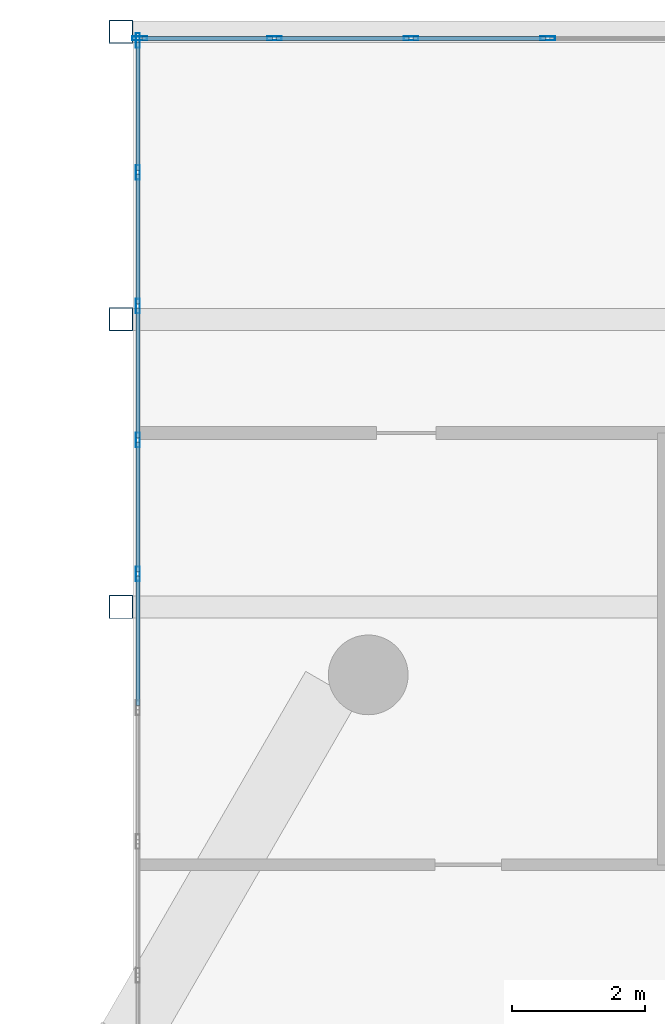
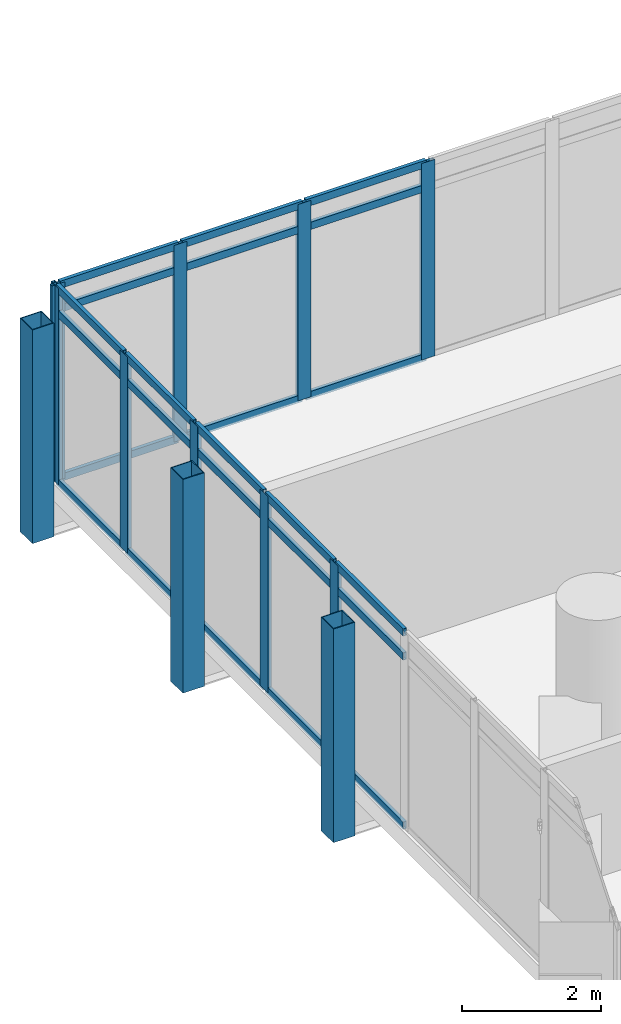
# One storey, part 16 of 36: 36 members, 2 elements without a shape of their own.
"""IFC4 building model written with IfcOpenShell, lengths in metres."""

import ifcopenshell
import ifcopenshell.guid

model = None  # the IFC model being written
_history = None  # IfcOwnerHistory: only IFC2X3 demands one
_inside = {}  # id of a spatial element -> (the spatial element, [elements in it])
_under = {}  # id of a project, library or spatial element -> (it, [spatial elements below it])
_declared = {}  # id of a project -> (the project, [libraries it declares])
_typed = {}  # id of a type object -> (the type object, [elements of that type])
_made_of = {}  # id of a material, layer set ... -> (it, [elements and type objects made of it])


def new_model(schema):
    """Start an empty IFC model of exactly this schema.

    Asked for "IFC4X3", IfcOpenShell would pick the latest addendum, in which some entities
    have other attributes; the version numbers below select the first issue.
    IFC2X3 requires an IfcOwnerHistory on every rooted entity: one is made here for all.
    """
    global model, _history
    if schema == "IFC4X3":
        model = ifcopenshell.file(schema_version=(4, 3, 0, 0))
    else:
        model = ifcopenshell.file(schema=schema)
    _inside.clear()
    _under.clear()
    _declared.clear()
    _typed.clear()
    _made_of.clear()
    _history = None
    if model.schema == "IFC2X3":
        org = make("IfcOrganization", Name="unknown")
        user = make(
            "IfcPersonAndOrganization",
            ThePerson=make("IfcPerson", FamilyName="unknown"),
            TheOrganization=org,
        )
        app = make(
            "IfcApplication",
            ApplicationDeveloper=org,
            Version="unknown",
            ApplicationFullName="unknown",
            ApplicationIdentifier="unknown",
        )
        _history = make(
            "IfcOwnerHistory",
            OwningUser=user,
            OwningApplication=app,
            ChangeAction="ADDED",
            CreationDate=0,
        )
    return model


def make(cls, **values):
    """One entity of the class cls with the attributes given. An attribute that is None is left unset."""
    return model.create_entity(
        cls, **{name: value for name, value in values.items() if value is not None}
    )


def rooted(cls, **values):
    """An entity with a GlobalId (a new one), such as an element, a storey or a relation."""
    return make(cls, GlobalId=ifcopenshell.guid.new(), OwnerHistory=_history, **values)


def si_unit(unit_type, name, prefix=None):
    """IfcSIUnit, for example si_unit("LENGTHUNIT", "METRE", prefix="MILLI")."""
    return make("IfcSIUnit", UnitType=unit_type, Prefix=prefix, Name=name)


def assignment(units):
    """IfcUnitAssignment: the units of a project."""
    return None if units is None else make("IfcUnitAssignment", Units=units)


def point(xyz):
    """IfcCartesianPoint."""
    return None if xyz is None else make("IfcCartesianPoint", Coordinates=xyz)


def direction(xyz):
    """IfcDirection."""
    return None if xyz is None else make("IfcDirection", DirectionRatios=xyz)


def frame(location, z_axis=None, x_axis=None):
    """IfcAxis2Placement3D, a coordinate frame: its origin and axes. An axis left out is left unset."""
    return make(
        "IfcAxis2Placement3D",
        Location=point(location),
        Axis=direction(z_axis),
        RefDirection=direction(x_axis),
    )


def frame_2d(location, x_axis=None):
    """IfcAxis2Placement2D, a coordinate frame in the plane: its origin and x axis."""
    return make(
        "IfcAxis2Placement2D", Location=point(location), RefDirection=direction(x_axis)
    )


def origin():
    """The frame at (0, 0, 0) with its axes left unset."""
    return frame((0.0, 0.0, 0.0))


def origin_2d():
    """The frame at (0, 0) in the plane with its x axis left unset."""
    return frame_2d((0.0, 0.0))


def place(relative_to, where):
    """IfcLocalPlacement: puts the frame where relative to a parent placement (None: the world)."""
    return make(
        "IfcLocalPlacement", PlacementRelTo=relative_to, RelativePlacement=where
    )


def context(
    kind, dimensions, precision=None, world=None, true_north=None, identifier=None
):
    """IfcGeometricRepresentationContext, for example the 3D "Model" context."""
    return make(
        "IfcGeometricRepresentationContext",
        ContextIdentifier=identifier,
        ContextType=kind,
        CoordinateSpaceDimension=dimensions,
        Precision=precision,
        WorldCoordinateSystem=world,
        TrueNorth=true_north,
    )


def subcontext(parent, identifier, kind, view, scale=None):
    """IfcGeometricRepresentationSubContext, for example "Body" below "Model"."""
    return make(
        "IfcGeometricRepresentationSubContext",
        ContextIdentifier=identifier,
        ContextType=kind,
        ParentContext=parent,
        TargetScale=scale,
        TargetView=view,
    )


def project(units=None, contexts=None):
    """IfcProject with its units and contexts."""
    return rooted(
        "IfcProject",
        Name="project",
        RepresentationContexts=contexts,
        UnitsInContext=assignment(units),
    )


def spatial(cls, under=None, at=None, **own):
    """A site, building, storey or space (cls), placed at a placement, below another one or the project."""
    s = rooted(cls, ObjectPlacement=at, **own)
    if under is not None:
        _under.setdefault(under.id(), (under, []))[1].append(s)
    return s


def profile(cls, at=None, kind="AREA", **sizes):
    """A parametric profile (cls). Its sizes go by their IFC names, for example OverallWidth=200.0."""
    return make(cls, ProfileType=kind, Position=at, **sizes)


def hollow_rectangle(**sizes):
    """IfcRectangleHollowProfileDef."""
    return profile("IfcRectangleHollowProfileDef", **sizes)


def extrude(swept, where, along, depth):
    """IfcExtrudedAreaSolid: the profile swept, set in the frame where, extruded along a direction by depth."""
    return make(
        "IfcExtrudedAreaSolid",
        SweptArea=swept,
        Position=where,
        ExtrudedDirection=direction(along),
        Depth=depth,
    )


def shape(context_of_items, identifier, shape_type, items):
    """IfcShapeRepresentation: the items that make up one representation, for example the "Body"."""
    return make(
        "IfcShapeRepresentation",
        ContextOfItems=context_of_items,
        RepresentationIdentifier=identifier,
        RepresentationType=shape_type,
        Items=items,
    )


def material(Name=None, Category=None):
    """IfcMaterial."""
    return make("IfcMaterial", Name=Name, Category=Category)


def material_profile(
    of_material, cross_section, Name=None, Category=None, Priority=None
):
    """IfcMaterialProfile: a cross section and its material."""
    return make(
        "IfcMaterialProfile",
        Name=Name,
        Material=of_material,
        Profile=cross_section,
        Priority=Priority,
        Category=Category,
    )


def profile_set(profiles, Name=None, composite=None):
    """IfcMaterialProfileSet."""
    return make(
        "IfcMaterialProfileSet",
        Name=Name,
        MaterialProfiles=profiles,
        CompositeProfile=composite,
    )


def made_of(thing, what):
    """Note that an element or type object is made of a material, layer set ...; save() writes the relation."""
    if what is not None:
        _made_of.setdefault(what.id(), (what, []))[1].append(thing)
    return thing


def type_object(cls, material=None, **own):
    """A type object (cls), such as IfcWallType, which elements share."""
    return made_of(rooted(cls, **own), material)


def element(
    cls,
    number,
    at=None,
    inside=None,
    cuts=None,
    type_object=None,
    material=None,
    context=None,
    identifier="Body",
    shape_type=None,
    held_by="IfcProductDefinitionShape",
    body=None,
    shapes=None,
    **own,
):
    """One element of the class cls, such as IfcWall. Its Tag is "e" and its number.

    at: its placement. inside: the storey or other place that contains it. cuts: it is an
    opening in that element (IfcRelVoidsElement). A single representation is given by context,
    identifier, shape_type and body (its items); several are given by shapes. held_by: the class
    of the entity that holds the representations. save() writes the other relations.
    """
    e = rooted(cls, Tag="e%d" % number, ObjectPlacement=at, **own)
    if body is not None:
        shapes = [shape(context, identifier, shape_type, body)]
    if shapes is not None:
        e.Representation = make(held_by, Representations=shapes)
    if inside is not None:
        _inside.setdefault(inside.id(), (inside, []))[1].append(e)
    if cuts is not None:
        rooted(
            "IfcRelVoidsElement", RelatingBuildingElement=cuts, RelatedOpeningElement=e
        )
    if type_object is not None:
        _typed.setdefault(type_object.id(), (type_object, []))[1].append(e)
    return made_of(e, material)


def aggregate(whole, parts):
    """IfcRelAggregates: a whole, such as a stair, and the parts it consists of."""
    return rooted("IfcRelAggregates", RelatingObject=whole, RelatedObjects=parts)


def save(model, path):
    """Write the relations noted so far, then the file.

    IfcRelAggregates (storeys below a building ...), IfcRelContainedInSpatialStructure (elements
    in a storey), IfcRelDefinesByType, IfcRelAssociatesMaterial and IfcRelDeclares: one each for
    every whole, place, type object, material and project.
    """
    for whole, parts in _under.values():
        aggregate(whole, parts)
    for where, things in _inside.values():
        rooted(
            "IfcRelContainedInSpatialStructure",
            RelatedElements=things,
            RelatingStructure=where,
        )
    for kind, things in _typed.values():
        rooted("IfcRelDefinesByType", RelatedObjects=things, RelatingType=kind)
    for what, things in _made_of.values():
        rooted("IfcRelAssociatesMaterial", RelatedObjects=things, RelatingMaterial=what)
    for by, libraries in _declared.values():
        rooted("IfcRelDeclares", RelatingContext=by, RelatedDefinitions=libraries)
    model.write(path)


model = new_model("IFC4")

# Units and contexts
model_context = context("Model", 3, precision=1e-05, world=origin(), true_north=direction((0.0, 1.0)))
body_context = subcontext(model_context, "Body", "Model", "MODEL_VIEW")
ifc_project = project(units=[si_unit("LENGTHUNIT", "METRE"), si_unit("AREAUNIT", "SQUARE_METRE"), si_unit("VOLUMEUNIT", "CUBIC_METRE"), si_unit("PLANEANGLEUNIT", "RADIAN"), si_unit("MASSUNIT", "GRAM", prefix="KILO")], contexts=[model_context])

# Site, building, storey
site_placement = place(None, origin())
site = spatial("IfcSite", under=ifc_project, at=site_placement, CompositionType="ELEMENT")
building_placement = place(site_placement, origin())
building = spatial("IfcBuilding", under=site, at=building_placement, Name="Ostrander Bayou Hotel Tower", CompositionType="ELEMENT")
storey_placement = place(building_placement, frame((0.0, 0.0, 138.5)))
storey = spatial("IfcBuildingStorey", under=building, at=storey_placement, Name="L34", CompositionType="ELEMENT", Elevation=138.5)

# Curtain wall, members
ifc_material_1 = material(Name="Aluminium and clear glass", Category="aluminium")
curtain_wall_type = type_object("IfcCurtainWallType", Name="CW-BAR glazed wall", PredefinedType="NOTDEFINED", material=ifc_material_1)
curtain_wall_1_placement = place(storey_placement, origin())
curtain_wall_1 = element("IfcCurtainWall", 1, at=curtain_wall_1_placement, inside=storey, type_object=curtain_wall_type, Name="CW-BAR L34:SB3N:E", PredefinedType="NOTDEFINED")
ifc_material_2 = material(Name="Aluminium", Category="aluminium")
ifc_material_profile_1 = material_profile(ifc_material_2, hollow_rectangle(XDim=0.06005859375, YDim=0.219970703125, WallThickness=0.00390625, at=origin_2d()))
ifc_profile_set_1 = profile_set([ifc_material_profile_1], Name="Aluminium")
member_type_1 = type_object("IfcMemberType", Name="CW-BR mullion 60 x 220 mm", PredefinedType="MULLION", material=ifc_profile_set_1)
member_1_placement = place(storey_placement, frame((-13.3671875, 20.979248046875, 0.0), z_axis=(0.0, 0.0, 1.0), x_axis=(-1.0, 0.0, 0.0)))
member_1 = element("IfcMember", 2, at=member_1_placement, type_object=member_type_1, Name="CW-BAR mullion 5", PredefinedType="MULLION", context=body_context, shape_type="SweptSolid", body=[
    extrude(hollow_rectangle(XDim=0.06005859375, YDim=0.219970703125, WallThickness=0.00390625, at=origin_2d()), origin(), (0.0, 0.0, 1.0), 3.449951171875),
])
member_2_placement = place(storey_placement, frame((-13.3671875, 22.99365234375, 0.0), z_axis=(0.0, 0.0, 1.0), x_axis=(-1.0, 0.0, 0.0)))
member_2 = element("IfcMember", 3, at=member_2_placement, type_object=member_type_1, Name="CW-BAR mullion 6", PredefinedType="MULLION", context=body_context, shape_type="SweptSolid", body=[
    extrude(hollow_rectangle(XDim=0.06005859375, YDim=0.219970703125, WallThickness=0.00390625, at=origin_2d()), origin(), (0.0, 0.0, 1.0), 3.449951171875),
])
member_3_placement = place(storey_placement, frame((-13.3671875, 25.00830078125, 0.0), z_axis=(0.0, 0.0, 1.0), x_axis=(-1.0, 0.0, 0.0)))
member_3 = element("IfcMember", 4, at=member_3_placement, type_object=member_type_1, Name="CW-BAR mullion 7", PredefinedType="MULLION", context=body_context, shape_type="SweptSolid", body=[
    extrude(hollow_rectangle(XDim=0.06005859375, YDim=0.219970703125, WallThickness=0.00390625, at=origin_2d()), origin(), (0.0, 0.0, 1.0), 3.449951171875),
])
member_4_placement = place(storey_placement, frame((-13.3671875, 27.022705078125, 0.0), z_axis=(0.0, 0.0, 1.0), x_axis=(-1.0, 0.0, 0.0)))
member_4 = element("IfcMember", 5, at=member_4_placement, type_object=member_type_1, Name="CW-BAR mullion 8", PredefinedType="MULLION", context=body_context, shape_type="SweptSolid", body=[
    extrude(hollow_rectangle(XDim=0.06005859375, YDim=0.219970703125, WallThickness=0.00390625, at=origin_2d()), origin(), (0.0, 0.0, 1.0), 3.449951171875),
])
member_5_placement = place(storey_placement, frame((-13.3671875, 29.007080078125, 0.0), z_axis=(0.0, 0.0, 1.0), x_axis=(-1.0, 0.0, 0.0)))
member_5 = element("IfcMember", 6, at=member_5_placement, type_object=member_type_1, Name="CW-BAR mullion 9", PredefinedType="MULLION", context=body_context, shape_type="SweptSolid", body=[
    extrude(hollow_rectangle(XDim=0.06005859375, YDim=0.219970703125, WallThickness=0.00390625, at=origin_2d()), origin(), (0.0, 0.0, 1.0), 3.449951171875),
])

curtain_wall_2_placement = place(storey_placement, origin())
curtain_wall_2 = element("IfcCurtainWall", 7, at=curtain_wall_2_placement, inside=storey, type_object=curtain_wall_type, Name="CW-BAR L34:SB3N:T", PredefinedType="NOTDEFINED")
member_6_placement = place(storey_placement, frame((-13.337158203125, 29.037109375, 0.0), z_axis=(0.0, 0.0, 1.0), x_axis=(0.0, 1.0, 0.0)))
member_6 = element("IfcMember", 8, at=member_6_placement, type_object=member_type_1, Name="CW-BAR mullion 1", PredefinedType="MULLION", context=body_context, shape_type="SweptSolid", body=[
    extrude(hollow_rectangle(XDim=0.06005859375, YDim=0.219970703125, WallThickness=0.00390625, at=origin_2d()), origin(), (0.0, 0.0, 1.0), 3.449951171875),
])
member_7_placement = place(storey_placement, frame((-11.310791015625, 29.037109375, 0.0), z_axis=(0.0, 0.0, 1.0), x_axis=(0.0, 1.0, 0.0)))
member_7 = element("IfcMember", 9, at=member_7_placement, type_object=member_type_1, Name="CW-BAR mullion 2", PredefinedType="MULLION", context=body_context, shape_type="SweptSolid", body=[
    extrude(hollow_rectangle(XDim=0.06005859375, YDim=0.219970703125, WallThickness=0.00390625, at=origin_2d()), origin(), (0.0, 0.0, 1.0), 3.449951171875),
])
member_8_placement = place(storey_placement, frame((-9.254150390625, 29.037109375, 0.0), z_axis=(0.0, 0.0, 1.0), x_axis=(0.0, 1.0, 0.0)))
member_8 = element("IfcMember", 10, at=member_8_placement, type_object=member_type_1, Name="CW-BAR mullion 3", PredefinedType="MULLION", context=body_context, shape_type="SweptSolid", body=[
    extrude(hollow_rectangle(XDim=0.06005859375, YDim=0.219970703125, WallThickness=0.00390625, at=origin_2d()), origin(), (0.0, 0.0, 1.0), 3.449951171875),
])
member_9_placement = place(storey_placement, frame((-7.19775390625, 29.037109375, 0.0), z_axis=(0.0, 0.0, 1.0), x_axis=(0.0, 1.0, 0.0)))
member_9 = element("IfcMember", 11, at=member_9_placement, type_object=member_type_1, Name="CW-BAR mullion 4", PredefinedType="MULLION", context=body_context, shape_type="SweptSolid", body=[
    extrude(hollow_rectangle(XDim=0.06005859375, YDim=0.219970703125, WallThickness=0.00390625, at=origin_2d()), origin(), (0.0, 0.0, 1.0), 3.449951171875),
])

# Member
ifc_material_3 = material(Name="Aluminium", Category="aluminium")
ifc_material_profile_2 = material_profile(ifc_material_3, hollow_rectangle(XDim=0.06005859375, YDim=0.1298828125, WallThickness=0.00390625, at=origin_2d()))
ifc_profile_set_2 = profile_set([ifc_material_profile_2], Name="Aluminium")
member_type_2 = type_object("IfcMemberType", Name="CW-BR transom 60 x 130 mm", PredefinedType="USERDEFINED", material=ifc_profile_set_2)
member_10_placement = place(storey_placement, frame((-13.3671875, 18.994873046875, 0.030029296875), z_axis=(0.0, 1.0, 0.0), x_axis=(-1.0, 0.0, 0.0)))
member_10 = element("IfcMember", 12, at=member_10_placement, type_object=member_type_2, Name="CW-BAR transom 4.1", ObjectType="TRANSOM", PredefinedType="USERDEFINED", context=body_context, shape_type="SweptSolid", body=[
    extrude(hollow_rectangle(XDim=0.06005859375, YDim=0.1298828125, WallThickness=0.00390625, at=origin_2d()), origin(), (0.0, 0.0, 1.0), 1.954345703125),
])

member_11_placement = place(storey_placement, frame((-13.3671875, 18.994873046875, 3.0), z_axis=(0.0, 1.0, 0.0), x_axis=(-1.0, 0.0, 0.0)))
member_11 = element("IfcMember", 13, at=member_11_placement, type_object=member_type_2, Name="CW-BAR transom 4.2", ObjectType="TRANSOM", PredefinedType="USERDEFINED", context=body_context, shape_type="SweptSolid", body=[
    extrude(hollow_rectangle(XDim=0.06005859375, YDim=0.1298828125, WallThickness=0.00390625, at=origin_2d()), origin(), (0.0, 0.0, 1.0), 1.954345703125),
])

member_12_placement = place(storey_placement, frame((-13.3671875, 18.994873046875, 3.419921875), z_axis=(0.0, 1.0, 0.0), x_axis=(-1.0, 0.0, 0.0)))
member_12 = element("IfcMember", 14, at=member_12_placement, type_object=member_type_2, Name="CW-BAR transom 4.3", ObjectType="TRANSOM", PredefinedType="USERDEFINED", context=body_context, shape_type="SweptSolid", body=[
    extrude(hollow_rectangle(XDim=0.06005859375, YDim=0.1298828125, WallThickness=0.00390625, at=origin_2d()), origin(), (0.0, 0.0, 1.0), 1.954345703125),
])

member_13_placement = place(storey_placement, frame((-13.3671875, 21.00927734375, 0.030029296875), z_axis=(0.0, 1.0, 0.0), x_axis=(-1.0, 0.0, 0.0)))
member_13 = element("IfcMember", 15, at=member_13_placement, type_object=member_type_2, Name="CW-BAR transom 5.1", ObjectType="TRANSOM", PredefinedType="USERDEFINED", context=body_context, shape_type="SweptSolid", body=[
    extrude(hollow_rectangle(XDim=0.06005859375, YDim=0.1298828125, WallThickness=0.00390625, at=origin_2d()), origin(), (0.0, 0.0, 1.0), 1.95458984375),
])

member_14_placement = place(storey_placement, frame((-13.3671875, 21.00927734375, 3.0), z_axis=(0.0, 1.0, 0.0), x_axis=(-1.0, 0.0, 0.0)))
member_14 = element("IfcMember", 16, at=member_14_placement, type_object=member_type_2, Name="CW-BAR transom 5.2", ObjectType="TRANSOM", PredefinedType="USERDEFINED", context=body_context, shape_type="SweptSolid", body=[
    extrude(hollow_rectangle(XDim=0.06005859375, YDim=0.1298828125, WallThickness=0.00390625, at=origin_2d()), origin(), (0.0, 0.0, 1.0), 1.95458984375),
])

member_15_placement = place(storey_placement, frame((-13.3671875, 21.00927734375, 3.419921875), z_axis=(0.0, 1.0, 0.0), x_axis=(-1.0, 0.0, 0.0)))
member_15 = element("IfcMember", 17, at=member_15_placement, type_object=member_type_2, Name="CW-BAR transom 5.3", ObjectType="TRANSOM", PredefinedType="USERDEFINED", context=body_context, shape_type="SweptSolid", body=[
    extrude(hollow_rectangle(XDim=0.06005859375, YDim=0.1298828125, WallThickness=0.00390625, at=origin_2d()), origin(), (0.0, 0.0, 1.0), 1.95458984375),
])

member_16_placement = place(storey_placement, frame((-13.3671875, 23.023681640625, 0.030029296875), z_axis=(0.0, 1.0, 0.0), x_axis=(-1.0, 0.0, 0.0)))
member_16 = element("IfcMember", 18, at=member_16_placement, type_object=member_type_2, Name="CW-BAR transom 6.1", ObjectType="TRANSOM", PredefinedType="USERDEFINED", context=body_context, shape_type="SweptSolid", body=[
    extrude(hollow_rectangle(XDim=0.06005859375, YDim=0.1298828125, WallThickness=0.00390625, at=origin_2d()), origin(), (0.0, 0.0, 1.0), 1.95458984375),
])

member_17_placement = place(storey_placement, frame((-13.3671875, 23.023681640625, 3.0), z_axis=(0.0, 1.0, 0.0), x_axis=(-1.0, 0.0, 0.0)))
member_17 = element("IfcMember", 19, at=member_17_placement, type_object=member_type_2, Name="CW-BAR transom 6.2", ObjectType="TRANSOM", PredefinedType="USERDEFINED", context=body_context, shape_type="SweptSolid", body=[
    extrude(hollow_rectangle(XDim=0.06005859375, YDim=0.1298828125, WallThickness=0.00390625, at=origin_2d()), origin(), (0.0, 0.0, 1.0), 1.95458984375),
])

member_18_placement = place(storey_placement, frame((-13.3671875, 23.023681640625, 3.419921875), z_axis=(0.0, 1.0, 0.0), x_axis=(-1.0, 0.0, 0.0)))
member_18 = element("IfcMember", 20, at=member_18_placement, type_object=member_type_2, Name="CW-BAR transom 6.3", ObjectType="TRANSOM", PredefinedType="USERDEFINED", context=body_context, shape_type="SweptSolid", body=[
    extrude(hollow_rectangle(XDim=0.06005859375, YDim=0.1298828125, WallThickness=0.00390625, at=origin_2d()), origin(), (0.0, 0.0, 1.0), 1.95458984375),
])

member_19_placement = place(storey_placement, frame((-13.3671875, 25.0380859375, 0.030029296875), z_axis=(0.0, 1.0, 0.0), x_axis=(-1.0, 0.0, 0.0)))
member_19 = element("IfcMember", 21, at=member_19_placement, type_object=member_type_2, Name="CW-BAR transom 7.1", ObjectType="TRANSOM", PredefinedType="USERDEFINED", context=body_context, shape_type="SweptSolid", body=[
    extrude(hollow_rectangle(XDim=0.06005859375, YDim=0.1298828125, WallThickness=0.00390625, at=origin_2d()), origin(), (0.0, 0.0, 1.0), 1.95458984375),
])

member_20_placement = place(storey_placement, frame((-13.3671875, 25.0380859375, 3.0), z_axis=(0.0, 1.0, 0.0), x_axis=(-1.0, 0.0, 0.0)))
member_20 = element("IfcMember", 22, at=member_20_placement, type_object=member_type_2, Name="CW-BAR transom 7.2", ObjectType="TRANSOM", PredefinedType="USERDEFINED", context=body_context, shape_type="SweptSolid", body=[
    extrude(hollow_rectangle(XDim=0.06005859375, YDim=0.1298828125, WallThickness=0.00390625, at=origin_2d()), origin(), (0.0, 0.0, 1.0), 1.95458984375),
])

member_21_placement = place(storey_placement, frame((-13.3671875, 25.0380859375, 3.419921875), z_axis=(0.0, 1.0, 0.0), x_axis=(-1.0, 0.0, 0.0)))
member_21 = element("IfcMember", 23, at=member_21_placement, type_object=member_type_2, Name="CW-BAR transom 7.3", ObjectType="TRANSOM", PredefinedType="USERDEFINED", context=body_context, shape_type="SweptSolid", body=[
    extrude(hollow_rectangle(XDim=0.06005859375, YDim=0.1298828125, WallThickness=0.00390625, at=origin_2d()), origin(), (0.0, 0.0, 1.0), 1.95458984375),
])

member_22_placement = place(storey_placement, frame((-13.3671875, 27.052734375, 0.030029296875), z_axis=(0.0, 1.0, 0.0), x_axis=(-1.0, 0.0, 0.0)))
member_22 = element("IfcMember", 24, at=member_22_placement, type_object=member_type_2, Name="CW-BAR transom 8.1", ObjectType="TRANSOM", PredefinedType="USERDEFINED", context=body_context, shape_type="SweptSolid", body=[
    extrude(hollow_rectangle(XDim=0.06005859375, YDim=0.1298828125, WallThickness=0.00390625, at=origin_2d()), origin(), (0.0, 0.0, 1.0), 1.92431640625),
])

member_23_placement = place(storey_placement, frame((-13.3671875, 27.052734375, 3.0), z_axis=(0.0, 1.0, 0.0), x_axis=(-1.0, 0.0, 0.0)))
member_23 = element("IfcMember", 25, at=member_23_placement, type_object=member_type_2, Name="CW-BAR transom 8.2", ObjectType="TRANSOM", PredefinedType="USERDEFINED", context=body_context, shape_type="SweptSolid", body=[
    extrude(hollow_rectangle(XDim=0.06005859375, YDim=0.1298828125, WallThickness=0.00390625, at=origin_2d()), origin(), (0.0, 0.0, 1.0), 1.92431640625),
])

member_24_placement = place(storey_placement, frame((-13.3671875, 27.052734375, 3.419921875), z_axis=(0.0, 1.0, 0.0), x_axis=(-1.0, 0.0, 0.0)))
member_24 = element("IfcMember", 26, at=member_24_placement, type_object=member_type_2, Name="CW-BAR transom 8.3", ObjectType="TRANSOM", PredefinedType="USERDEFINED", context=body_context, shape_type="SweptSolid", body=[
    extrude(hollow_rectangle(XDim=0.06005859375, YDim=0.1298828125, WallThickness=0.00390625, at=origin_2d()), origin(), (0.0, 0.0, 1.0), 1.92431640625),
])

aggregate(curtain_wall_1, [member_1, member_2, member_3, member_4, member_5, member_10, member_11, member_12, member_13, member_14, member_15, member_16, member_17, member_18, member_19, member_20, member_21, member_22, member_23, member_24])

member_25_placement = place(storey_placement, frame((-13.30712890625, 29.037109375, 0.030029296875), z_axis=(1.0, 0.0, 0.0), x_axis=(0.0, 1.0, 0.0)))
member_25 = element("IfcMember", 27, at=member_25_placement, type_object=member_type_2, Name="CW-BAR transom 1.1", ObjectType="TRANSOM", PredefinedType="USERDEFINED", context=body_context, shape_type="SweptSolid", body=[
    extrude(hollow_rectangle(XDim=0.06005859375, YDim=0.1298828125, WallThickness=0.00390625, at=origin_2d()), origin(), (0.0, 0.0, 1.0), 1.96630859375),
])

member_26_placement = place(storey_placement, frame((-13.30712890625, 29.037109375, 3.0), z_axis=(1.0, 0.0, 0.0), x_axis=(0.0, 1.0, 0.0)))
member_26 = element("IfcMember", 28, at=member_26_placement, type_object=member_type_2, Name="CW-BAR transom 1.2", ObjectType="TRANSOM", PredefinedType="USERDEFINED", context=body_context, shape_type="SweptSolid", body=[
    extrude(hollow_rectangle(XDim=0.06005859375, YDim=0.1298828125, WallThickness=0.00390625, at=origin_2d()), origin(), (0.0, 0.0, 1.0), 1.96630859375),
])

member_27_placement = place(storey_placement, frame((-13.30712890625, 29.037109375, 3.419921875), z_axis=(1.0, 0.0, 0.0), x_axis=(0.0, 1.0, 0.0)))
member_27 = element("IfcMember", 29, at=member_27_placement, type_object=member_type_2, Name="CW-BAR transom 1.3", ObjectType="TRANSOM", PredefinedType="USERDEFINED", context=body_context, shape_type="SweptSolid", body=[
    extrude(hollow_rectangle(XDim=0.06005859375, YDim=0.1298828125, WallThickness=0.00390625, at=origin_2d()), origin(), (0.0, 0.0, 1.0), 1.96630859375),
])

member_28_placement = place(storey_placement, frame((-11.28076171875, 29.037109375, 0.030029296875), z_axis=(1.0, 0.0, 0.0), x_axis=(0.0, 1.0, 0.0)))
member_28 = element("IfcMember", 30, at=member_28_placement, type_object=member_type_2, Name="CW-BAR transom 2.1", ObjectType="TRANSOM", PredefinedType="USERDEFINED", context=body_context, shape_type="SweptSolid", body=[
    extrude(hollow_rectangle(XDim=0.06005859375, YDim=0.1298828125, WallThickness=0.00390625, at=origin_2d()), origin(), (0.0, 0.0, 1.0), 1.99658203125),
])

member_29_placement = place(storey_placement, frame((-11.28076171875, 29.037109375, 3.0), z_axis=(1.0, 0.0, 0.0), x_axis=(0.0, 1.0, 0.0)))
member_29 = element("IfcMember", 31, at=member_29_placement, type_object=member_type_2, Name="CW-BAR transom 2.2", ObjectType="TRANSOM", PredefinedType="USERDEFINED", context=body_context, shape_type="SweptSolid", body=[
    extrude(hollow_rectangle(XDim=0.06005859375, YDim=0.1298828125, WallThickness=0.00390625, at=origin_2d()), origin(), (0.0, 0.0, 1.0), 1.99658203125),
])

member_30_placement = place(storey_placement, frame((-11.28076171875, 29.037109375, 3.419921875), z_axis=(1.0, 0.0, 0.0), x_axis=(0.0, 1.0, 0.0)))
member_30 = element("IfcMember", 32, at=member_30_placement, type_object=member_type_2, Name="CW-BAR transom 2.3", ObjectType="TRANSOM", PredefinedType="USERDEFINED", context=body_context, shape_type="SweptSolid", body=[
    extrude(hollow_rectangle(XDim=0.06005859375, YDim=0.1298828125, WallThickness=0.00390625, at=origin_2d()), origin(), (0.0, 0.0, 1.0), 1.99658203125),
])

member_31_placement = place(storey_placement, frame((-9.22412109375, 29.037109375, 0.030029296875), z_axis=(1.0, 0.0, 0.0), x_axis=(0.0, 1.0, 0.0)))
member_31 = element("IfcMember", 33, at=member_31_placement, type_object=member_type_2, Name="CW-BAR transom 3.1", ObjectType="TRANSOM", PredefinedType="USERDEFINED", context=body_context, shape_type="SweptSolid", body=[
    extrude(hollow_rectangle(XDim=0.06005859375, YDim=0.1298828125, WallThickness=0.00390625, at=origin_2d()), origin(), (0.0, 0.0, 1.0), 1.996337890625),
])

member_32_placement = place(storey_placement, frame((-9.22412109375, 29.037109375, 3.0), z_axis=(1.0, 0.0, 0.0), x_axis=(0.0, 1.0, 0.0)))
member_32 = element("IfcMember", 34, at=member_32_placement, type_object=member_type_2, Name="CW-BAR transom 3.2", ObjectType="TRANSOM", PredefinedType="USERDEFINED", context=body_context, shape_type="SweptSolid", body=[
    extrude(hollow_rectangle(XDim=0.06005859375, YDim=0.1298828125, WallThickness=0.00390625, at=origin_2d()), origin(), (0.0, 0.0, 1.0), 1.996337890625),
])

member_33_placement = place(storey_placement, frame((-9.22412109375, 29.037109375, 3.419921875), z_axis=(1.0, 0.0, 0.0), x_axis=(0.0, 1.0, 0.0)))
member_33 = element("IfcMember", 35, at=member_33_placement, type_object=member_type_2, Name="CW-BAR transom 3.3", ObjectType="TRANSOM", PredefinedType="USERDEFINED", context=body_context, shape_type="SweptSolid", body=[
    extrude(hollow_rectangle(XDim=0.06005859375, YDim=0.1298828125, WallThickness=0.00390625, at=origin_2d()), origin(), (0.0, 0.0, 1.0), 1.996337890625),
])

aggregate(curtain_wall_2, [member_6, member_7, member_8, member_9, member_25, member_26, member_27, member_28, member_29, member_30, member_31, member_32, member_33])

# Members
ifc_material_4 = material(Name="Steel ASTM A500 Gr C", Category="steel")
ifc_material_profile_3 = material_profile(ifc_material_4, hollow_rectangle(XDim=0.355712890625, YDim=0.355712890625, WallThickness=0.0146484375, at=origin_2d()))
ifc_profile_set_3 = profile_set([ifc_material_profile_3], Name="Steel ASTM A500 Gr C")
member_type_3 = type_object("IfcMemberType", Name="TH1 bar hanger HSS14x14x5/8", PredefinedType="POST", material=ifc_profile_set_3)
for number, where, z_axis, x_axis, name in (
    (36, (-13.6201171875, 29.13720703125, -0.921875), (0.0, 0.0, 1.0), (1.0, 0.0, 0.0), "TH1 SB3WA H1-3"),
    (37, (-13.6201171875, 24.809326171875, -0.921875), (0.0, 0.0, 1.0), (1.0, 0.0, 0.0), "TH1 SB3WA H2-3"),
    (38, (-13.6201171875, 20.481689453125, -0.921875), (0.0, 0.0, 1.0), (1.0, 0.0, 0.0), "TH1 SB3WA H3-3"),
):
    element("IfcMember", number, at=place(storey_placement, frame(where, z_axis=z_axis, x_axis=x_axis)), inside=storey, type_object=member_type_3, Name=name, PredefinedType="POST", context=body_context, shape_type="SweptSolid", body=[
        extrude(hollow_rectangle(XDim=0.355712890625, YDim=0.355712890625, WallThickness=0.0146484375, at=origin_2d()), origin(), (0.0, 0.0, 1.0), 3.75),
    ])

save(model, "model.ifc")
